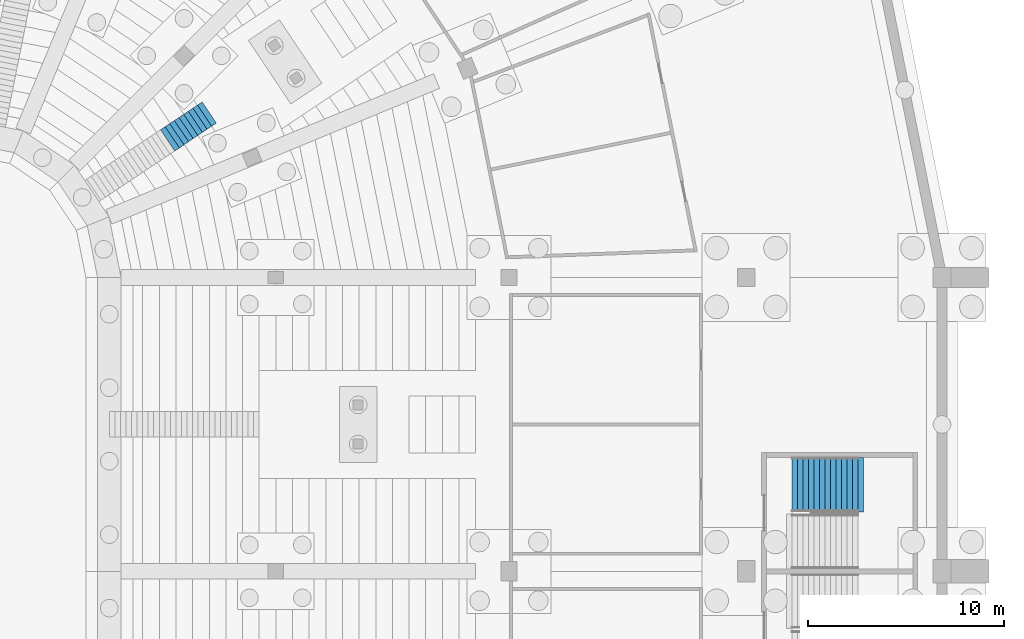
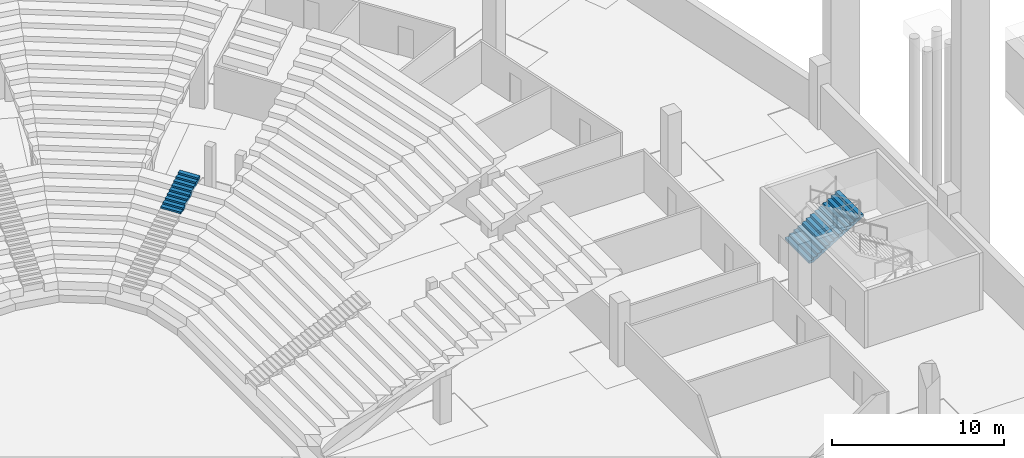
# One storey, part 109 of 115: 2 stair flights, 2 elements without a shape of their own.
"""IFC4 building model written with IfcOpenShell, lengths in metres."""

import ifcopenshell
import ifcopenshell.guid

model = None  # the IFC model being written
_history = None  # IfcOwnerHistory: only IFC2X3 demands one
_inside = {}  # id of a spatial element -> (the spatial element, [elements in it])
_under = {}  # id of a project, library or spatial element -> (it, [spatial elements below it])
_declared = {}  # id of a project -> (the project, [libraries it declares])
_typed = {}  # id of a type object -> (the type object, [elements of that type])
_made_of = {}  # id of a material, layer set ... -> (it, [elements and type objects made of it])


def new_model(schema):
    """Start an empty IFC model of exactly this schema.

    Asked for "IFC4X3", IfcOpenShell would pick the latest addendum, in which some entities
    have other attributes; the version numbers below select the first issue.
    IFC2X3 requires an IfcOwnerHistory on every rooted entity: one is made here for all.
    """
    global model, _history
    if schema == "IFC4X3":
        model = ifcopenshell.file(schema_version=(4, 3, 0, 0))
    else:
        model = ifcopenshell.file(schema=schema)
    _inside.clear()
    _under.clear()
    _declared.clear()
    _typed.clear()
    _made_of.clear()
    _history = None
    if model.schema == "IFC2X3":
        org = make("IfcOrganization", Name="unknown")
        user = make(
            "IfcPersonAndOrganization",
            ThePerson=make("IfcPerson", FamilyName="unknown"),
            TheOrganization=org,
        )
        app = make(
            "IfcApplication",
            ApplicationDeveloper=org,
            Version="unknown",
            ApplicationFullName="unknown",
            ApplicationIdentifier="unknown",
        )
        _history = make(
            "IfcOwnerHistory",
            OwningUser=user,
            OwningApplication=app,
            ChangeAction="ADDED",
            CreationDate=0,
        )
    return model


def make(cls, **values):
    """One entity of the class cls with the attributes given. An attribute that is None is left unset."""
    return model.create_entity(
        cls, **{name: value for name, value in values.items() if value is not None}
    )


def rooted(cls, **values):
    """An entity with a GlobalId (a new one), such as an element, a storey or a relation."""
    return make(cls, GlobalId=ifcopenshell.guid.new(), OwnerHistory=_history, **values)


def si_unit(unit_type, name, prefix=None):
    """IfcSIUnit, for example si_unit("LENGTHUNIT", "METRE", prefix="MILLI")."""
    return make("IfcSIUnit", UnitType=unit_type, Prefix=prefix, Name=name)


def assignment(units):
    """IfcUnitAssignment: the units of a project."""
    return None if units is None else make("IfcUnitAssignment", Units=units)


def point(xyz):
    """IfcCartesianPoint."""
    return None if xyz is None else make("IfcCartesianPoint", Coordinates=xyz)


def direction(xyz):
    """IfcDirection."""
    return None if xyz is None else make("IfcDirection", DirectionRatios=xyz)


def frame(location, z_axis=None, x_axis=None):
    """IfcAxis2Placement3D, a coordinate frame: its origin and axes. An axis left out is left unset."""
    return make(
        "IfcAxis2Placement3D",
        Location=point(location),
        Axis=direction(z_axis),
        RefDirection=direction(x_axis),
    )


def origin():
    """The frame at (0, 0, 0) with its axes left unset."""
    return frame((0.0, 0.0, 0.0))


def place(relative_to, where):
    """IfcLocalPlacement: puts the frame where relative to a parent placement (None: the world)."""
    return make(
        "IfcLocalPlacement", PlacementRelTo=relative_to, RelativePlacement=where
    )


def context(
    kind, dimensions, precision=None, world=None, true_north=None, identifier=None
):
    """IfcGeometricRepresentationContext, for example the 3D "Model" context."""
    return make(
        "IfcGeometricRepresentationContext",
        ContextIdentifier=identifier,
        ContextType=kind,
        CoordinateSpaceDimension=dimensions,
        Precision=precision,
        WorldCoordinateSystem=world,
        TrueNorth=true_north,
    )


def subcontext(parent, identifier, kind, view, scale=None):
    """IfcGeometricRepresentationSubContext, for example "Body" below "Model"."""
    return make(
        "IfcGeometricRepresentationSubContext",
        ContextIdentifier=identifier,
        ContextType=kind,
        ParentContext=parent,
        TargetScale=scale,
        TargetView=view,
    )


def project(units=None, contexts=None):
    """IfcProject with its units and contexts."""
    return rooted(
        "IfcProject",
        Name="project",
        RepresentationContexts=contexts,
        UnitsInContext=assignment(units),
    )


def spatial(cls, under=None, at=None, **own):
    """A site, building, storey or space (cls), placed at a placement, below another one or the project."""
    s = rooted(cls, ObjectPlacement=at, **own)
    if under is not None:
        _under.setdefault(under.id(), (under, []))[1].append(s)
    return s


def faces_of(points, faces, orient=None, outer=None):
    """IfcFace entities. A face is a list of loops; a loop is a list of indices into points, from 0.

    orient and outer hold one flag for each loop. By default every Orientation is true, the
    first loop of a face is its IfcFaceOuterBound and the others are IfcFaceBound.
    """
    made = []
    for i, loops in enumerate(faces):
        bounds = []
        for j, loop in enumerate(loops):
            is_outer = j == 0 if outer is None else outer[i][j]
            bounds.append(
                make(
                    "IfcFaceOuterBound" if is_outer else "IfcFaceBound",
                    Bound=make("IfcPolyLoop", Polygon=[points[k] for k in loop]),
                    Orientation=True if orient is None else orient[i][j],
                )
            )
        made.append(make("IfcFace", Bounds=bounds))
    return made


def faceted_brep(points, faces, orient=None, outer=None, voids=None):
    """IfcFacetedBrep: a solid bounded by flat faces; with voids (closed shells), ...WithVoids."""
    shared = [point(p) for p in points]
    hull = make("IfcClosedShell", CfsFaces=faces_of(shared, faces, orient, outer))
    if voids is None:
        return make("IfcFacetedBrep", Outer=hull)
    return make(
        "IfcFacetedBrepWithVoids",
        Outer=hull,
        Voids=[
            make(cls, CfsFaces=faces_of(shared, fs, o, b)) for cls, fs, o, b in voids
        ],
    )


def shape(context_of_items, identifier, shape_type, items):
    """IfcShapeRepresentation: the items that make up one representation, for example the "Body"."""
    return make(
        "IfcShapeRepresentation",
        ContextOfItems=context_of_items,
        RepresentationIdentifier=identifier,
        RepresentationType=shape_type,
        Items=items,
    )


def material(Name=None, Category=None):
    """IfcMaterial."""
    return make("IfcMaterial", Name=Name, Category=Category)


def made_of(thing, what):
    """Note that an element or type object is made of a material, layer set ...; save() writes the relation."""
    if what is not None:
        _made_of.setdefault(what.id(), (what, []))[1].append(thing)
    return thing


def type_object(cls, material=None, **own):
    """A type object (cls), such as IfcWallType, which elements share."""
    return made_of(rooted(cls, **own), material)


def element(
    cls,
    number,
    at=None,
    inside=None,
    cuts=None,
    type_object=None,
    material=None,
    context=None,
    identifier="Body",
    shape_type=None,
    held_by="IfcProductDefinitionShape",
    body=None,
    shapes=None,
    **own,
):
    """One element of the class cls, such as IfcWall. Its Tag is "e" and its number.

    at: its placement. inside: the storey or other place that contains it. cuts: it is an
    opening in that element (IfcRelVoidsElement). A single representation is given by context,
    identifier, shape_type and body (its items); several are given by shapes. held_by: the class
    of the entity that holds the representations. save() writes the other relations.
    """
    e = rooted(cls, Tag="e%d" % number, ObjectPlacement=at, **own)
    if body is not None:
        shapes = [shape(context, identifier, shape_type, body)]
    if shapes is not None:
        e.Representation = make(held_by, Representations=shapes)
    if inside is not None:
        _inside.setdefault(inside.id(), (inside, []))[1].append(e)
    if cuts is not None:
        rooted(
            "IfcRelVoidsElement", RelatingBuildingElement=cuts, RelatedOpeningElement=e
        )
    if type_object is not None:
        _typed.setdefault(type_object.id(), (type_object, []))[1].append(e)
    return made_of(e, material)


def aggregate(whole, parts):
    """IfcRelAggregates: a whole, such as a stair, and the parts it consists of."""
    return rooted("IfcRelAggregates", RelatingObject=whole, RelatedObjects=parts)


def save(model, path):
    """Write the relations noted so far, then the file.

    IfcRelAggregates (storeys below a building ...), IfcRelContainedInSpatialStructure (elements
    in a storey), IfcRelDefinesByType, IfcRelAssociatesMaterial and IfcRelDeclares: one each for
    every whole, place, type object, material and project.
    """
    for whole, parts in _under.values():
        aggregate(whole, parts)
    for where, things in _inside.values():
        rooted(
            "IfcRelContainedInSpatialStructure",
            RelatedElements=things,
            RelatingStructure=where,
        )
    for kind, things in _typed.values():
        rooted("IfcRelDefinesByType", RelatedObjects=things, RelatingType=kind)
    for what, things in _made_of.values():
        rooted("IfcRelAssociatesMaterial", RelatedObjects=things, RelatingMaterial=what)
    for by, libraries in _declared.values():
        rooted("IfcRelDeclares", RelatingContext=by, RelatedDefinitions=libraries)
    model.write(path)


model = new_model("IFC4")

# Units and contexts
model_context = context("Model", 3, precision=1e-05, world=origin(), true_north=direction((0.0, 1.0)))
body_context = subcontext(model_context, "Body", "Model", "MODEL_VIEW")
ifc_project = project(units=[si_unit("LENGTHUNIT", "METRE"), si_unit("AREAUNIT", "SQUARE_METRE"), si_unit("VOLUMEUNIT", "CUBIC_METRE"), si_unit("PLANEANGLEUNIT", "RADIAN"), si_unit("MASSUNIT", "GRAM", prefix="KILO")], contexts=[model_context])

# Site, building, storey
site_placement = place(None, origin())
site = spatial("IfcSite", under=ifc_project, at=site_placement, CompositionType="ELEMENT")
building_placement = place(site_placement, origin())
building = spatial("IfcBuilding", under=site, at=building_placement, Name="Ogive Plaza Stadium", CompositionType="ELEMENT")
storey_placement = place(building_placement, frame((0.0, 0.0, -4.5)))
storey = spatial("IfcBuildingStorey", under=building, at=storey_placement, Name="B1", CompositionType="ELEMENT", Elevation=-4.5)

# Stair, stair flight
ifc_material_1 = material(Name="Concrete C40/50", Category="concrete")
stair_type_1 = type_object("IfcStairType", Name="Aisle stair", PredefinedType="STRAIGHT_RUN_STAIR", material=ifc_material_1)
stair_1_placement = place(storey_placement, origin())
stair_1 = element("IfcStair", 1, at=stair_1_placement, inside=storey, type_object=stair_type_1, Name="Aisle stair SA39D", PredefinedType="STRAIGHT_RUN_STAIR")
ifc_material_2 = material(Name="Concrete C40/50", Category="concrete")
stair_flight_type_1 = type_object("IfcStairFlightType", Name="Aisle stair flight", PredefinedType="STRAIGHT", material=ifc_material_2)
stair_flight_1_placement = place(storey_placement, frame((44.4765625, 59.500244140625, 3.375), z_axis=(0.0, 0.0, 1.0), x_axis=(0.831469612303, 0.55557023302, 0.0)))
stair_flight_1 = element("IfcStairFlight", 2, at=stair_flight_1_placement, type_object=stair_flight_type_1, Name="SA39D flight 2", NumberOfRisers=9, NumberOfTreads=8, PredefinedType="STRAIGHT", RiserHeight=0.125, TreadLength=0.283333333, context=body_context, shape_type="Brep", body=[
    faceted_brep([(0.371337890625, -0.64990234375, 0.0), (2.550048828125, -0.64990234375, 0.961181640625), (2.550048828125, -0.64990234375, 1.125), (2.2666015625, -0.64990234375, 1.125), (2.2666015625, -0.64990234375, 1.0), (1.9833984375, -0.64990234375, 1.0), (1.9833984375, -0.64990234375, 0.875), (1.699951171875, -0.64990234375, 0.875), (1.699951171875, -0.64990234375, 0.75), (1.416748046875, -0.64990234375, 0.75), (1.416748046875, -0.64990234375, 0.625), (1.13330078125, -0.64990234375, 0.625), (1.13330078125, -0.64990234375, 0.5), (0.85009765625, -0.64990234375, 0.5), (0.85009765625, -0.64990234375, 0.375), (0.566650390625, -0.64990234375, 0.375), (0.566650390625, -0.64990234375, 0.25), (0.283447265625, -0.64990234375, 0.25), (0.283447265625, -0.64990234375, 0.125), (0.0, -0.64990234375, 0.125), (0.0, -0.64990234375, 0.0), (0.0, 0.64990234375, 0.0), (0.0, 0.64990234375, 0.125), (0.283447265625, 0.64990234375, 0.125), (0.283447265625, 0.64990234375, 0.25), (0.566650390625, 0.64990234375, 0.25), (0.566650390625, 0.64990234375, 0.375), (0.85009765625, 0.64990234375, 0.375), (0.85009765625, 0.64990234375, 0.5), (1.13330078125, 0.64990234375, 0.5), (1.13330078125, 0.64990234375, 0.625), (1.416748046875, 0.64990234375, 0.625), (1.416748046875, 0.64990234375, 0.75), (1.699951171875, 0.64990234375, 0.75), (1.699951171875, 0.64990234375, 0.875), (1.9833984375, 0.64990234375, 0.875), (1.9833984375, 0.64990234375, 1.0), (2.2666015625, 0.64990234375, 1.0), (2.2666015625, 0.64990234375, 1.125), (2.550048828125, 0.64990234375, 1.125), (2.550048828125, 0.64990234375, 0.961181640625), (0.371337890625, 0.64990234375, 0.0), (0.371337890625, -0.324951171875, 0.0), (2.550048828125, -0.324951171875, 0.961181640625), (0.371337890625, 0.0, 0.0), (2.550048828125, 0.0, 0.961181640625), (0.371337890625, 0.324951171875, 0.0), (2.550048828125, 0.324951171875, 0.961181640625), (2.550048828125, -0.324951171875, 1.125), (2.550048828125, 0.0, 1.125), (2.550048828125, 0.324951171875, 1.125), (2.2666015625, -0.324951171875, 1.125), (2.2666015625, 0.0, 1.125), (2.2666015625, 0.324951171875, 1.125), (2.2666015625, -0.324951171875, 1.0), (2.2666015625, 0.0, 1.0), (2.2666015625, 0.324951171875, 1.0), (1.9833984375, -0.324951171875, 1.0), (1.9833984375, 0.0, 1.0), (1.9833984375, 0.324951171875, 1.0), (1.9833984375, -0.324951171875, 0.875), (1.9833984375, 0.0, 0.875), (1.9833984375, 0.324951171875, 0.875), (1.699951171875, -0.324951171875, 0.875), (1.699951171875, 0.0, 0.875), (1.699951171875, 0.324951171875, 0.875), (1.699951171875, -0.324951171875, 0.75), (1.699951171875, 0.0, 0.75), (1.699951171875, 0.324951171875, 0.75), (1.416748046875, -0.324951171875, 0.75), (1.416748046875, 0.0, 0.75), (1.416748046875, 0.324951171875, 0.75), (1.416748046875, -0.324951171875, 0.625), (1.416748046875, 0.0, 0.625), (1.416748046875, 0.324951171875, 0.625), (1.13330078125, -0.324951171875, 0.625), (1.13330078125, 0.0, 0.625), (1.13330078125, 0.324951171875, 0.625), (1.13330078125, -0.324951171875, 0.5), (1.13330078125, 0.0, 0.5), (1.13330078125, 0.324951171875, 0.5), (0.85009765625, -0.324951171875, 0.5), (0.85009765625, 0.0, 0.5), (0.85009765625, 0.324951171875, 0.5), (0.85009765625, -0.324951171875, 0.375), (0.85009765625, 0.0, 0.375), (0.85009765625, 0.324951171875, 0.375), (0.566650390625, -0.324951171875, 0.375), (0.566650390625, 0.0, 0.375), (0.566650390625, 0.324951171875, 0.375), (0.566650390625, -0.324951171875, 0.25), (0.566650390625, 0.0, 0.25), (0.566650390625, 0.324951171875, 0.25), (0.283447265625, -0.324951171875, 0.25), (0.283447265625, 0.0, 0.25), (0.283447265625, 0.324951171875, 0.25), (0.283447265625, -0.324951171875, 0.125), (0.283447265625, 0.0, 0.125), (0.283447265625, 0.324951171875, 0.125), (0.0, -0.324951171875, 0.125), (0.0, 0.0, 0.125), (0.0, 0.324951171875, 0.125), (0.0, -0.324951171875, 0.0), (0.0, 0.0, 0.0), (0.0, 0.324951171875, 0.0)], [[[0, 1, 2, 3, 4, 5, 6, 7, 8, 9, 10, 11, 12, 13, 14, 15, 16, 17, 18, 19, 20]], [[21, 22, 23, 24, 25, 26, 27, 28, 29, 30, 31, 32, 33, 34, 35, 36, 37, 38, 39, 40, 41]], [[0, 42, 43, 1]], [[42, 44, 45, 43]], [[44, 46, 47, 45]], [[46, 41, 40, 47]], [[1, 43, 48, 2]], [[43, 45, 49, 48]], [[45, 47, 50, 49]], [[47, 40, 39, 50]], [[2, 48, 51, 3]], [[48, 49, 52, 51]], [[49, 50, 53, 52]], [[50, 39, 38, 53]], [[3, 51, 54, 4]], [[51, 52, 55, 54]], [[52, 53, 56, 55]], [[53, 38, 37, 56]], [[4, 54, 57, 5]], [[54, 55, 58, 57]], [[55, 56, 59, 58]], [[56, 37, 36, 59]], [[5, 57, 60, 6]], [[57, 58, 61, 60]], [[58, 59, 62, 61]], [[59, 36, 35, 62]], [[6, 60, 63, 7]], [[60, 61, 64, 63]], [[61, 62, 65, 64]], [[62, 35, 34, 65]], [[7, 63, 66, 8]], [[63, 64, 67, 66]], [[64, 65, 68, 67]], [[65, 34, 33, 68]], [[8, 66, 69, 9]], [[66, 67, 70, 69]], [[67, 68, 71, 70]], [[68, 33, 32, 71]], [[9, 69, 72, 10]], [[69, 70, 73, 72]], [[70, 71, 74, 73]], [[71, 32, 31, 74]], [[10, 72, 75, 11]], [[72, 73, 76, 75]], [[73, 74, 77, 76]], [[74, 31, 30, 77]], [[11, 75, 78, 12]], [[75, 76, 79, 78]], [[76, 77, 80, 79]], [[77, 30, 29, 80]], [[12, 78, 81, 13]], [[78, 79, 82, 81]], [[79, 80, 83, 82]], [[80, 29, 28, 83]], [[13, 81, 84, 14]], [[81, 82, 85, 84]], [[82, 83, 86, 85]], [[83, 28, 27, 86]], [[14, 84, 87, 15]], [[84, 85, 88, 87]], [[85, 86, 89, 88]], [[86, 27, 26, 89]], [[15, 87, 90, 16]], [[87, 88, 91, 90]], [[88, 89, 92, 91]], [[89, 26, 25, 92]], [[16, 90, 93, 17]], [[90, 91, 94, 93]], [[91, 92, 95, 94]], [[92, 25, 24, 95]], [[17, 93, 96, 18]], [[93, 94, 97, 96]], [[94, 95, 98, 97]], [[95, 24, 23, 98]], [[18, 96, 99, 19]], [[96, 97, 100, 99]], [[97, 98, 101, 100]], [[98, 23, 22, 101]], [[19, 99, 102, 20]], [[99, 100, 103, 102]], [[100, 101, 104, 103]], [[101, 22, 21, 104]], [[20, 102, 42, 0]], [[102, 103, 44, 42]], [[103, 104, 46, 44]], [[104, 21, 41, 46]]]),
])
aggregate(stair_1, [stair_flight_1])

ifc_material_3 = material(Name="Concrete C40/50", Category="concrete")
stair_type_2 = type_object("IfcStairType", Name="Exit stair", PredefinedType="STRAIGHT_RUN_STAIR", material=ifc_material_3)
stair_2_placement = place(storey_placement, origin())
stair_2 = element("IfcStair", 3, at=stair_2_placement, inside=storey, type_object=stair_type_2, Name="Exit stair ST02B B1 to L00", PredefinedType="STRAIGHT_RUN_STAIR")
ifc_material_4 = material(Name="Concrete C40/50", Category="concrete")
stair_flight_type_2 = type_object("IfcStairFlightType", Name="Exit stair flight", PredefinedType="STRAIGHT", material=ifc_material_4)
stair_flight_2_placement = place(storey_placement, frame((76.35009765625, 41.925048828125, 0.0), z_axis=(0.0, 0.0, 1.0), x_axis=(1.0, 0.0, 0.0)))
stair_flight_2 = element("IfcStairFlight", 4, at=stair_flight_2_placement, type_object=stair_flight_type_2, Name="ST02B flight 1", NumberOfRisers=13, NumberOfTreads=12, PredefinedType="STRAIGHT", RiserHeight=0.173076923, TreadLength=0.28, context=body_context, shape_type="Brep", body=[
    faceted_brep([(0.28515625, -1.39990234375, 0.0), (3.639892578125, -1.39990234375, 2.07373046875), (3.639892578125, -1.39990234375, 2.25), (3.360107421875, -1.39990234375, 2.25), (3.360107421875, -1.39990234375, 2.076904296875), (3.080078125, -1.39990234375, 2.076904296875), (3.080078125, -1.39990234375, 1.90380859375), (2.800048828125, -1.39990234375, 1.90380859375), (2.800048828125, -1.39990234375, 1.730712890625), (2.52001953125, -1.39990234375, 1.730712890625), (2.52001953125, -1.39990234375, 1.5576171875), (2.239990234375, -1.39990234375, 1.5576171875), (2.239990234375, -1.39990234375, 1.384521484375), (1.9599609375, -1.39990234375, 1.384521484375), (1.9599609375, -1.39990234375, 1.21142578125), (1.679931640625, -1.39990234375, 1.21142578125), (1.679931640625, -1.39990234375, 1.03857421875), (1.39990234375, -1.39990234375, 1.03857421875), (1.39990234375, -1.39990234375, 0.865478515625), (1.1201171875, -1.39990234375, 0.865478515625), (1.1201171875, -1.39990234375, 0.6923828125), (0.840087890625, -1.39990234375, 0.6923828125), (0.840087890625, -1.39990234375, 0.519287109375), (0.56005859375, -1.39990234375, 0.519287109375), (0.56005859375, -1.39990234375, 0.34619140625), (0.280029296875, -1.39990234375, 0.34619140625), (0.280029296875, -1.39990234375, 0.173095703125), (0.0, -1.39990234375, 0.173095703125), (0.0, -1.39990234375, 0.0), (0.0, 1.39990234375, 0.0), (0.0, 1.39990234375, 0.173095703125), (0.280029296875, 1.39990234375, 0.173095703125), (0.280029296875, 1.39990234375, 0.34619140625), (0.56005859375, 1.39990234375, 0.34619140625), (0.56005859375, 1.39990234375, 0.519287109375), (0.840087890625, 1.39990234375, 0.519287109375), (0.840087890625, 1.39990234375, 0.6923828125), (1.1201171875, 1.39990234375, 0.6923828125), (1.1201171875, 1.39990234375, 0.865478515625), (1.39990234375, 1.39990234375, 0.865478515625), (1.39990234375, 1.39990234375, 1.03857421875), (1.679931640625, 1.39990234375, 1.03857421875), (1.679931640625, 1.39990234375, 1.21142578125), (1.9599609375, 1.39990234375, 1.21142578125), (1.9599609375, 1.39990234375, 1.384521484375), (2.239990234375, 1.39990234375, 1.384521484375), (2.239990234375, 1.39990234375, 1.5576171875), (2.52001953125, 1.39990234375, 1.5576171875), (2.52001953125, 1.39990234375, 1.730712890625), (2.800048828125, 1.39990234375, 1.730712890625), (2.800048828125, 1.39990234375, 1.90380859375), (3.080078125, 1.39990234375, 1.90380859375), (3.080078125, 1.39990234375, 2.076904296875), (3.360107421875, 1.39990234375, 2.076904296875), (3.360107421875, 1.39990234375, 2.25), (3.639892578125, 1.39990234375, 2.25), (3.639892578125, 1.39990234375, 2.07373046875), (0.28515625, 1.39990234375, 0.0), (0.28515625, -1.0888671875, 0.0), (3.639892578125, -1.0888671875, 2.07373046875), (0.28515625, -0.77783203125, 0.0), (3.639892578125, -0.77783203125, 2.07373046875), (0.28515625, -0.466796875, 0.0), (3.639892578125, -0.466796875, 2.07373046875), (0.28515625, -0.155517578125, 0.0), (3.639892578125, -0.155517578125, 2.07373046875), (0.28515625, 0.155517578125, 0.0), (3.639892578125, 0.155517578125, 2.07373046875), (0.28515625, 0.466796875, 0.0), (3.639892578125, 0.466796875, 2.07373046875), (0.28515625, 0.77783203125, 0.0), (3.639892578125, 0.77783203125, 2.07373046875), (0.28515625, 1.0888671875, 0.0), (3.639892578125, 1.0888671875, 2.07373046875), (3.639892578125, -1.0888671875, 2.25), (3.639892578125, -0.77783203125, 2.25), (3.639892578125, -0.466796875, 2.25), (3.639892578125, -0.155517578125, 2.25), (3.639892578125, 0.155517578125, 2.25), (3.639892578125, 0.466796875, 2.25), (3.639892578125, 0.77783203125, 2.25), (3.639892578125, 1.0888671875, 2.25), (3.360107421875, -1.0888671875, 2.25), (3.360107421875, -0.77783203125, 2.25), (3.360107421875, -0.466796875, 2.25), (3.360107421875, -0.155517578125, 2.25), (3.360107421875, 0.155517578125, 2.25), (3.360107421875, 0.466796875, 2.25), (3.360107421875, 0.77783203125, 2.25), (3.360107421875, 1.0888671875, 2.25), (3.360107421875, -1.0888671875, 2.076904296875), (3.360107421875, -0.77783203125, 2.076904296875), (3.360107421875, -0.466796875, 2.076904296875), (3.360107421875, -0.155517578125, 2.076904296875), (3.360107421875, 0.155517578125, 2.076904296875), (3.360107421875, 0.466796875, 2.076904296875), (3.360107421875, 0.77783203125, 2.076904296875), (3.360107421875, 1.0888671875, 2.076904296875), (3.080078125, -1.0888671875, 2.076904296875), (3.080078125, -0.77783203125, 2.076904296875), (3.080078125, -0.466796875, 2.076904296875), (3.080078125, -0.155517578125, 2.076904296875), (3.080078125, 0.155517578125, 2.076904296875), (3.080078125, 0.466796875, 2.076904296875), (3.080078125, 0.77783203125, 2.076904296875), (3.080078125, 1.0888671875, 2.076904296875), (3.080078125, -1.0888671875, 1.90380859375), (3.080078125, -0.77783203125, 1.90380859375), (3.080078125, -0.466796875, 1.90380859375), (3.080078125, -0.155517578125, 1.90380859375), (3.080078125, 0.155517578125, 1.90380859375), (3.080078125, 0.466796875, 1.90380859375), (3.080078125, 0.77783203125, 1.90380859375), (3.080078125, 1.0888671875, 1.90380859375), (2.800048828125, -1.0888671875, 1.90380859375), (2.800048828125, -0.77783203125, 1.90380859375), (2.800048828125, -0.466796875, 1.90380859375), (2.800048828125, -0.155517578125, 1.90380859375), (2.800048828125, 0.155517578125, 1.90380859375), (2.800048828125, 0.466796875, 1.90380859375), (2.800048828125, 0.77783203125, 1.90380859375), (2.800048828125, 1.0888671875, 1.90380859375), (2.800048828125, -1.0888671875, 1.730712890625), (2.800048828125, -0.77783203125, 1.730712890625), (2.800048828125, -0.466796875, 1.730712890625), (2.800048828125, -0.155517578125, 1.730712890625), (2.800048828125, 0.155517578125, 1.730712890625), (2.800048828125, 0.466796875, 1.730712890625), (2.800048828125, 0.77783203125, 1.730712890625), (2.800048828125, 1.0888671875, 1.730712890625), (2.52001953125, -1.0888671875, 1.730712890625), (2.52001953125, -0.77783203125, 1.730712890625), (2.52001953125, -0.466796875, 1.730712890625), (2.52001953125, -0.155517578125, 1.730712890625), (2.52001953125, 0.155517578125, 1.730712890625), (2.52001953125, 0.466796875, 1.730712890625), (2.52001953125, 0.77783203125, 1.730712890625), (2.52001953125, 1.0888671875, 1.730712890625), (2.52001953125, -1.0888671875, 1.5576171875), (2.52001953125, -0.77783203125, 1.5576171875), (2.52001953125, -0.466796875, 1.5576171875), (2.52001953125, -0.155517578125, 1.5576171875), (2.52001953125, 0.155517578125, 1.5576171875), (2.52001953125, 0.466796875, 1.5576171875), (2.52001953125, 0.77783203125, 1.5576171875), (2.52001953125, 1.0888671875, 1.5576171875), (2.239990234375, -1.0888671875, 1.5576171875), (2.239990234375, -0.77783203125, 1.5576171875), (2.239990234375, -0.466796875, 1.5576171875), (2.239990234375, -0.155517578125, 1.5576171875), (2.239990234375, 0.155517578125, 1.5576171875), (2.239990234375, 0.466796875, 1.5576171875), (2.239990234375, 0.77783203125, 1.5576171875), (2.239990234375, 1.0888671875, 1.5576171875), (2.239990234375, -1.0888671875, 1.384521484375), (2.239990234375, -0.77783203125, 1.384521484375), (2.239990234375, -0.466796875, 1.384521484375), (2.239990234375, -0.155517578125, 1.384521484375), (2.239990234375, 0.155517578125, 1.384521484375), (2.239990234375, 0.466796875, 1.384521484375), (2.239990234375, 0.77783203125, 1.384521484375), (2.239990234375, 1.0888671875, 1.384521484375), (1.9599609375, -1.0888671875, 1.384521484375), (1.9599609375, -0.77783203125, 1.384521484375), (1.9599609375, -0.466796875, 1.384521484375), (1.9599609375, -0.155517578125, 1.384521484375), (1.9599609375, 0.155517578125, 1.384521484375), (1.9599609375, 0.466796875, 1.384521484375), (1.9599609375, 0.77783203125, 1.384521484375), (1.9599609375, 1.0888671875, 1.384521484375), (1.9599609375, -1.0888671875, 1.21142578125), (1.9599609375, -0.77783203125, 1.21142578125), (1.9599609375, -0.466796875, 1.21142578125), (1.9599609375, -0.155517578125, 1.21142578125), (1.9599609375, 0.155517578125, 1.21142578125), (1.9599609375, 0.466796875, 1.21142578125), (1.9599609375, 0.77783203125, 1.21142578125), (1.9599609375, 1.0888671875, 1.21142578125), (1.679931640625, -1.0888671875, 1.21142578125), (1.679931640625, -0.77783203125, 1.21142578125), (1.679931640625, -0.466796875, 1.21142578125), (1.679931640625, -0.155517578125, 1.21142578125), (1.679931640625, 0.155517578125, 1.21142578125), (1.679931640625, 0.466796875, 1.21142578125), (1.679931640625, 0.77783203125, 1.21142578125), (1.679931640625, 1.0888671875, 1.21142578125), (1.679931640625, -1.0888671875, 1.03857421875), (1.679931640625, -0.77783203125, 1.03857421875), (1.679931640625, -0.466796875, 1.03857421875), (1.679931640625, -0.155517578125, 1.03857421875), (1.679931640625, 0.155517578125, 1.03857421875), (1.679931640625, 0.466796875, 1.03857421875), (1.679931640625, 0.77783203125, 1.03857421875), (1.679931640625, 1.0888671875, 1.03857421875), (1.39990234375, -1.0888671875, 1.03857421875), (1.39990234375, -0.77783203125, 1.03857421875), (1.39990234375, -0.466796875, 1.03857421875), (1.39990234375, -0.155517578125, 1.03857421875), (1.39990234375, 0.155517578125, 1.03857421875), (1.39990234375, 0.466796875, 1.03857421875), (1.39990234375, 0.77783203125, 1.03857421875), (1.39990234375, 1.0888671875, 1.03857421875), (1.39990234375, -1.0888671875, 0.865478515625), (1.39990234375, -0.77783203125, 0.865478515625), (1.39990234375, -0.466796875, 0.865478515625), (1.39990234375, -0.155517578125, 0.865478515625), (1.39990234375, 0.155517578125, 0.865478515625), (1.39990234375, 0.466796875, 0.865478515625), (1.39990234375, 0.77783203125, 0.865478515625), (1.39990234375, 1.0888671875, 0.865478515625), (1.1201171875, -1.0888671875, 0.865478515625), (1.1201171875, -0.77783203125, 0.865478515625), (1.1201171875, -0.466796875, 0.865478515625), (1.1201171875, -0.155517578125, 0.865478515625), (1.1201171875, 0.155517578125, 0.865478515625), (1.1201171875, 0.466796875, 0.865478515625), (1.1201171875, 0.77783203125, 0.865478515625), (1.1201171875, 1.0888671875, 0.865478515625), (1.1201171875, -1.0888671875, 0.6923828125), (1.1201171875, -0.77783203125, 0.6923828125), (1.1201171875, -0.466796875, 0.6923828125), (1.1201171875, -0.155517578125, 0.6923828125), (1.1201171875, 0.155517578125, 0.6923828125), (1.1201171875, 0.466796875, 0.6923828125), (1.1201171875, 0.77783203125, 0.6923828125), (1.1201171875, 1.0888671875, 0.6923828125), (0.840087890625, -1.0888671875, 0.6923828125), (0.840087890625, -0.77783203125, 0.6923828125), (0.840087890625, -0.466796875, 0.6923828125), (0.840087890625, -0.155517578125, 0.6923828125), (0.840087890625, 0.155517578125, 0.6923828125), (0.840087890625, 0.466796875, 0.6923828125), (0.840087890625, 0.77783203125, 0.6923828125), (0.840087890625, 1.0888671875, 0.6923828125), (0.840087890625, -1.0888671875, 0.519287109375), (0.840087890625, -0.77783203125, 0.519287109375), (0.840087890625, -0.466796875, 0.519287109375), (0.840087890625, -0.155517578125, 0.519287109375), (0.840087890625, 0.155517578125, 0.519287109375), (0.840087890625, 0.466796875, 0.519287109375), (0.840087890625, 0.77783203125, 0.519287109375), (0.840087890625, 1.0888671875, 0.519287109375), (0.56005859375, -1.0888671875, 0.519287109375), (0.56005859375, -0.77783203125, 0.519287109375), (0.56005859375, -0.466796875, 0.519287109375), (0.56005859375, -0.155517578125, 0.519287109375), (0.56005859375, 0.155517578125, 0.519287109375), (0.56005859375, 0.466796875, 0.519287109375), (0.56005859375, 0.77783203125, 0.519287109375), (0.56005859375, 1.0888671875, 0.519287109375), (0.56005859375, -1.0888671875, 0.34619140625), (0.56005859375, -0.77783203125, 0.34619140625), (0.56005859375, -0.466796875, 0.34619140625), (0.56005859375, -0.155517578125, 0.34619140625), (0.56005859375, 0.155517578125, 0.34619140625), (0.56005859375, 0.466796875, 0.34619140625), (0.56005859375, 0.77783203125, 0.34619140625), (0.56005859375, 1.0888671875, 0.34619140625), (0.280029296875, -1.0888671875, 0.34619140625), (0.280029296875, -0.77783203125, 0.34619140625), (0.280029296875, -0.466796875, 0.34619140625), (0.280029296875, -0.155517578125, 0.34619140625), (0.280029296875, 0.155517578125, 0.34619140625), (0.280029296875, 0.466796875, 0.34619140625), (0.280029296875, 0.77783203125, 0.34619140625), (0.280029296875, 1.0888671875, 0.34619140625), (0.280029296875, -1.0888671875, 0.173095703125), (0.280029296875, -0.77783203125, 0.173095703125), (0.280029296875, -0.466796875, 0.173095703125), (0.280029296875, -0.155517578125, 0.173095703125), (0.280029296875, 0.155517578125, 0.173095703125), (0.280029296875, 0.466796875, 0.173095703125), (0.280029296875, 0.77783203125, 0.173095703125), (0.280029296875, 1.0888671875, 0.173095703125), (0.0, -1.0888671875, 0.173095703125), (0.0, -0.77783203125, 0.173095703125), (0.0, -0.466796875, 0.173095703125), (0.0, -0.155517578125, 0.173095703125), (0.0, 0.155517578125, 0.173095703125), (0.0, 0.466796875, 0.173095703125), (0.0, 0.77783203125, 0.173095703125), (0.0, 1.0888671875, 0.173095703125), (0.0, -1.0888671875, 0.0), (0.0, -0.77783203125, 0.0), (0.0, -0.466796875, 0.0), (0.0, -0.155517578125, 0.0), (0.0, 0.155517578125, 0.0), (0.0, 0.466796875, 0.0), (0.0, 0.77783203125, 0.0), (0.0, 1.0888671875, 0.0)], [[[0, 1, 2, 3, 4, 5, 6, 7, 8, 9, 10, 11, 12, 13, 14, 15, 16, 17, 18, 19, 20, 21, 22, 23, 24, 25, 26, 27, 28]], [[29, 30, 31, 32, 33, 34, 35, 36, 37, 38, 39, 40, 41, 42, 43, 44, 45, 46, 47, 48, 49, 50, 51, 52, 53, 54, 55, 56, 57]], [[0, 58, 59, 1]], [[58, 60, 61, 59]], [[60, 62, 63, 61]], [[62, 64, 65, 63]], [[64, 66, 67, 65]], [[66, 68, 69, 67]], [[68, 70, 71, 69]], [[70, 72, 73, 71]], [[72, 57, 56, 73]], [[1, 59, 74, 2]], [[59, 61, 75, 74]], [[61, 63, 76, 75]], [[63, 65, 77, 76]], [[65, 67, 78, 77]], [[67, 69, 79, 78]], [[69, 71, 80, 79]], [[71, 73, 81, 80]], [[73, 56, 55, 81]], [[2, 74, 82, 3]], [[74, 75, 83, 82]], [[75, 76, 84, 83]], [[76, 77, 85, 84]], [[77, 78, 86, 85]], [[78, 79, 87, 86]], [[79, 80, 88, 87]], [[80, 81, 89, 88]], [[81, 55, 54, 89]], [[3, 82, 90, 4]], [[82, 83, 91, 90]], [[83, 84, 92, 91]], [[84, 85, 93, 92]], [[85, 86, 94, 93]], [[86, 87, 95, 94]], [[87, 88, 96, 95]], [[88, 89, 97, 96]], [[89, 54, 53, 97]], [[4, 90, 98, 5]], [[90, 91, 99, 98]], [[91, 92, 100, 99]], [[92, 93, 101, 100]], [[93, 94, 102, 101]], [[94, 95, 103, 102]], [[95, 96, 104, 103]], [[96, 97, 105, 104]], [[97, 53, 52, 105]], [[5, 98, 106, 6]], [[98, 99, 107, 106]], [[99, 100, 108, 107]], [[100, 101, 109, 108]], [[101, 102, 110, 109]], [[102, 103, 111, 110]], [[103, 104, 112, 111]], [[104, 105, 113, 112]], [[105, 52, 51, 113]], [[6, 106, 114, 7]], [[106, 107, 115, 114]], [[107, 108, 116, 115]], [[108, 109, 117, 116]], [[109, 110, 118, 117]], [[110, 111, 119, 118]], [[111, 112, 120, 119]], [[112, 113, 121, 120]], [[113, 51, 50, 121]], [[7, 114, 122, 8]], [[114, 115, 123, 122]], [[115, 116, 124, 123]], [[116, 117, 125, 124]], [[117, 118, 126, 125]], [[118, 119, 127, 126]], [[119, 120, 128, 127]], [[120, 121, 129, 128]], [[121, 50, 49, 129]], [[8, 122, 130, 9]], [[122, 123, 131, 130]], [[123, 124, 132, 131]], [[124, 125, 133, 132]], [[125, 126, 134, 133]], [[126, 127, 135, 134]], [[127, 128, 136, 135]], [[128, 129, 137, 136]], [[129, 49, 48, 137]], [[9, 130, 138, 10]], [[130, 131, 139, 138]], [[131, 132, 140, 139]], [[132, 133, 141, 140]], [[133, 134, 142, 141]], [[134, 135, 143, 142]], [[135, 136, 144, 143]], [[136, 137, 145, 144]], [[137, 48, 47, 145]], [[10, 138, 146, 11]], [[138, 139, 147, 146]], [[139, 140, 148, 147]], [[140, 141, 149, 148]], [[141, 142, 150, 149]], [[142, 143, 151, 150]], [[143, 144, 152, 151]], [[144, 145, 153, 152]], [[145, 47, 46, 153]], [[11, 146, 154, 12]], [[146, 147, 155, 154]], [[147, 148, 156, 155]], [[148, 149, 157, 156]], [[149, 150, 158, 157]], [[150, 151, 159, 158]], [[151, 152, 160, 159]], [[152, 153, 161, 160]], [[153, 46, 45, 161]], [[12, 154, 162, 13]], [[154, 155, 163, 162]], [[155, 156, 164, 163]], [[156, 157, 165, 164]], [[157, 158, 166, 165]], [[158, 159, 167, 166]], [[159, 160, 168, 167]], [[160, 161, 169, 168]], [[161, 45, 44, 169]], [[13, 162, 170, 14]], [[162, 163, 171, 170]], [[163, 164, 172, 171]], [[164, 165, 173, 172]], [[165, 166, 174, 173]], [[166, 167, 175, 174]], [[167, 168, 176, 175]], [[168, 169, 177, 176]], [[169, 44, 43, 177]], [[14, 170, 178, 15]], [[170, 171, 179, 178]], [[171, 172, 180, 179]], [[172, 173, 181, 180]], [[173, 174, 182, 181]], [[174, 175, 183, 182]], [[175, 176, 184, 183]], [[176, 177, 185, 184]], [[177, 43, 42, 185]], [[15, 178, 186, 16]], [[178, 179, 187, 186]], [[179, 180, 188, 187]], [[180, 181, 189, 188]], [[181, 182, 190, 189]], [[182, 183, 191, 190]], [[183, 184, 192, 191]], [[184, 185, 193, 192]], [[185, 42, 41, 193]], [[16, 186, 194, 17]], [[186, 187, 195, 194]], [[187, 188, 196, 195]], [[188, 189, 197, 196]], [[189, 190, 198, 197]], [[190, 191, 199, 198]], [[191, 192, 200, 199]], [[192, 193, 201, 200]], [[193, 41, 40, 201]], [[17, 194, 202, 18]], [[194, 195, 203, 202]], [[195, 196, 204, 203]], [[196, 197, 205, 204]], [[197, 198, 206, 205]], [[198, 199, 207, 206]], [[199, 200, 208, 207]], [[200, 201, 209, 208]], [[201, 40, 39, 209]], [[18, 202, 210, 19]], [[202, 203, 211, 210]], [[203, 204, 212, 211]], [[204, 205, 213, 212]], [[205, 206, 214, 213]], [[206, 207, 215, 214]], [[207, 208, 216, 215]], [[208, 209, 217, 216]], [[209, 39, 38, 217]], [[19, 210, 218, 20]], [[210, 211, 219, 218]], [[211, 212, 220, 219]], [[212, 213, 221, 220]], [[213, 214, 222, 221]], [[214, 215, 223, 222]], [[215, 216, 224, 223]], [[216, 217, 225, 224]], [[217, 38, 37, 225]], [[20, 218, 226, 21]], [[218, 219, 227, 226]], [[219, 220, 228, 227]], [[220, 221, 229, 228]], [[221, 222, 230, 229]], [[222, 223, 231, 230]], [[223, 224, 232, 231]], [[224, 225, 233, 232]], [[225, 37, 36, 233]], [[21, 226, 234, 22]], [[226, 227, 235, 234]], [[227, 228, 236, 235]], [[228, 229, 237, 236]], [[229, 230, 238, 237]], [[230, 231, 239, 238]], [[231, 232, 240, 239]], [[232, 233, 241, 240]], [[233, 36, 35, 241]], [[22, 234, 242, 23]], [[234, 235, 243, 242]], [[235, 236, 244, 243]], [[236, 237, 245, 244]], [[237, 238, 246, 245]], [[238, 239, 247, 246]], [[239, 240, 248, 247]], [[240, 241, 249, 248]], [[241, 35, 34, 249]], [[23, 242, 250, 24]], [[242, 243, 251, 250]], [[243, 244, 252, 251]], [[244, 245, 253, 252]], [[245, 246, 254, 253]], [[246, 247, 255, 254]], [[247, 248, 256, 255]], [[248, 249, 257, 256]], [[249, 34, 33, 257]], [[24, 250, 258, 25]], [[250, 251, 259, 258]], [[251, 252, 260, 259]], [[252, 253, 261, 260]], [[253, 254, 262, 261]], [[254, 255, 263, 262]], [[255, 256, 264, 263]], [[256, 257, 265, 264]], [[257, 33, 32, 265]], [[25, 258, 266, 26]], [[258, 259, 267, 266]], [[259, 260, 268, 267]], [[260, 261, 269, 268]], [[261, 262, 270, 269]], [[262, 263, 271, 270]], [[263, 264, 272, 271]], [[264, 265, 273, 272]], [[265, 32, 31, 273]], [[26, 266, 274, 27]], [[266, 267, 275, 274]], [[267, 268, 276, 275]], [[268, 269, 277, 276]], [[269, 270, 278, 277]], [[270, 271, 279, 278]], [[271, 272, 280, 279]], [[272, 273, 281, 280]], [[273, 31, 30, 281]], [[27, 274, 282, 28]], [[274, 275, 283, 282]], [[275, 276, 284, 283]], [[276, 277, 285, 284]], [[277, 278, 286, 285]], [[278, 279, 287, 286]], [[279, 280, 288, 287]], [[280, 281, 289, 288]], [[281, 30, 29, 289]], [[28, 282, 58, 0]], [[282, 283, 60, 58]], [[283, 284, 62, 60]], [[284, 285, 64, 62]], [[285, 286, 66, 64]], [[286, 287, 68, 66]], [[287, 288, 70, 68]], [[288, 289, 72, 70]], [[289, 29, 57, 72]]]),
])
aggregate(stair_2, [stair_flight_2])

save(model, "model.ifc")
